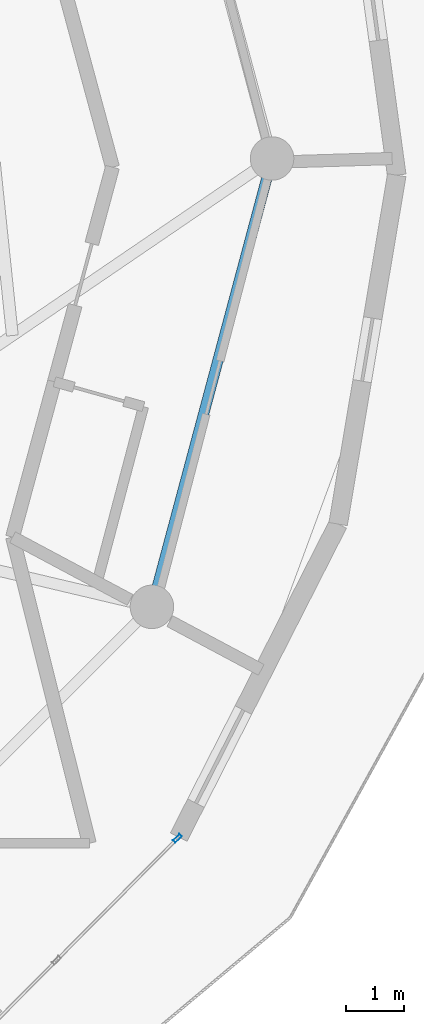
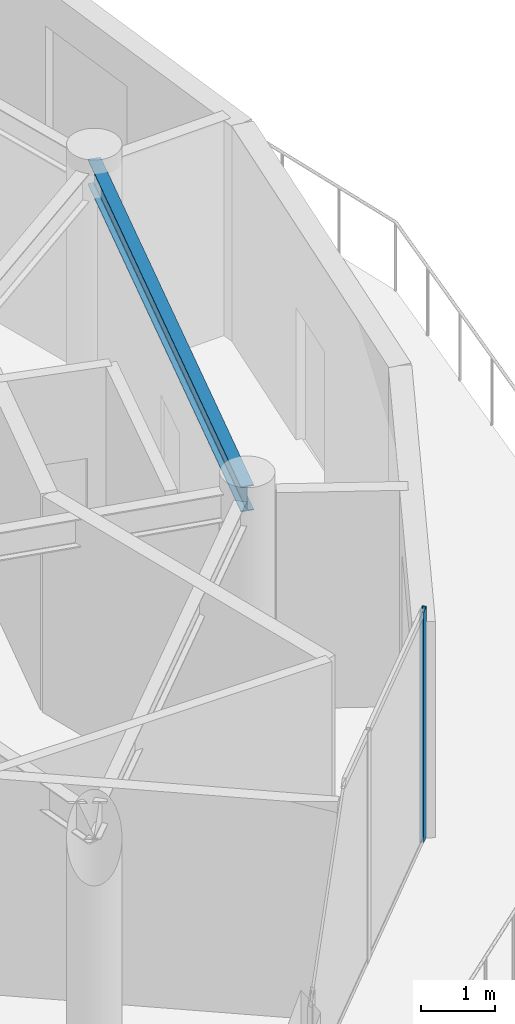
# One storey, part 11 of 23: 1 beam, 1 member, 1 element without a shape of its own.
"""IFC4 building model written with IfcOpenShell, lengths in metres."""

from ifc_helpers import new_model, si_unit, direction, frame, origin, origin_2d, place, context, subcontext, project, spatial, hollow_rectangle, i_section, extrude, source, transform, mapped, material, layer, layer_set, material_profile, profile_set, type_object, element, aggregate, save


model = new_model("IFC4")

# Units and contexts
model_context = context("Model", 3, precision=1e-05, world=origin(), true_north=direction((0.0, 1.0)))
body_context = subcontext(model_context, "Body", "Model", "MODEL_VIEW")
ifc_project = project(units=[si_unit("LENGTHUNIT", "METRE"), si_unit("AREAUNIT", "SQUARE_METRE"), si_unit("VOLUMEUNIT", "CUBIC_METRE"), si_unit("PLANEANGLEUNIT", "RADIAN"), si_unit("MASSUNIT", "GRAM", prefix="KILO")], contexts=[model_context])

# Site, building, storey
site_placement = place(None, origin())
site = spatial("IfcSite", under=ifc_project, at=site_placement, CompositionType="ELEMENT")
building_placement = place(site_placement, origin())
building = spatial("IfcBuilding", under=site, at=building_placement, Name="Solvirekh Grand Hotel", CompositionType="ELEMENT")
storey_placement = place(building_placement, frame((0.0, 0.0, 282.0)))
storey = spatial("IfcBuildingStorey", under=building, at=storey_placement, Name="L73", CompositionType="ELEMENT", Elevation=282.0)

# Beam
ifc_material_1 = material(Name="Steel S355", Category="steel")
ifc_material_profile_1 = material_profile(ifc_material_1, i_section(OverallWidth=0.180908203125, OverallDepth=0.4169921875, WebThickness=0.010009765625, FlangeThickness=0.01611328125, FilletRadius=0.011962890625, at=origin_2d()), Name="W410X85")
ifc_profile_set_1 = profile_set([ifc_material_profile_1], Name="Steel S355")
beam_type = type_object("IfcBeamType", Name="Spandrel_Ring_W410", PredefinedType="SPANDREL", material=ifc_profile_set_1)
beam_placement = place(storey_placement, frame((13.3798828125, -7.72509765625, 3.361083984375), z_axis=(0.258834757072, 0.965921616143, 0.0), x_axis=(-0.965921616143, 0.258834757072, 0.0)))
element("IfcBeam", 1, at=beam_placement, inside=storey, type_object=beam_type, Name="L73 perimeter spandrel beam 12", PredefinedType="SPANDREL", context=body_context, shape_type="SweptSolid", body=[
    extrude(i_section(OverallWidth=0.180908203125, OverallDepth=0.4169921875, WebThickness=0.010009765625, FlangeThickness=0.01611328125, FilletRadius=0.011962890625, at=origin_2d()), origin(), (0.0, 0.0, 1.0), 7.99755859375),
])

# Curtain wall, member
ifc_material_2 = material(Name="Anodized Bronze Aluminium 6063-T6", Category="aluminium")
ifc_layer = layer(ifc_material_2, 0.159912109375)
ifc_layer_set = layer_set([ifc_layer], Name="Anodized Bronze Aluminium 6063-T6")
curtain_wall_type = type_object("IfcCurtainWallType", Name="CW_Sys4_HighZoneFlushBronzeCW", PredefinedType="NOTDEFINED", material=ifc_layer_set)
curtain_wall_placement = place(storey_placement, origin())
curtain_wall = element("IfcCurtainWall", 2, at=curtain_wall_placement, inside=storey, type_object=curtain_wall_type, Name="L73 unitised bronze-glass curtain wall CW-L73-C03", PredefinedType="NOTDEFINED")
ifc_material_profile_2 = material_profile(ifc_material_2, hollow_rectangle(XDim=0.06005859375, YDim=0.159912109375, WallThickness=0.0048828125, at=origin_2d()), Name="ALU RHS 160X60X5")
ifc_profile_set_2 = profile_set([ifc_material_profile_2], Name="Anodized Bronze Aluminium 6063-T6")
member_type = type_object("IfcMemberType", Name="CWMullion_Sys4", PredefinedType="MULLION", material=ifc_profile_set_2)
shared_shape = source(origin(), body_context, "Body", "SweptSolid", [
    extrude(hollow_rectangle(XDim=0.06005859375, YDim=0.159912109375, WallThickness=0.0048828125, at=origin_2d()), origin(), (0.0, 0.0, 1.0), 3.800048828125),
])
member_placement = place(storey_placement, frame((13.81982421875, -11.71435546875, 0.0), z_axis=(0.0, 0.0, 1.0), x_axis=(-0.710107901084, 0.704092869456, 0.0)))
member = element("IfcMember", 3, at=member_placement, type_object=member_type, Name="U04 mullion 3", PredefinedType="MULLION", context=body_context, shape_type="MappedRepresentation", body=[
    mapped(shared_shape, transform((0.0, 0.0, 0.0), x_axis=(1.0, 0.0, 0.0), y_axis=(0.0, 1.0, 0.0), z_axis=(0.0, 0.0, 1.0), scale=1.0)),
])
aggregate(curtain_wall, [member])

save(model, "model.ifc")
